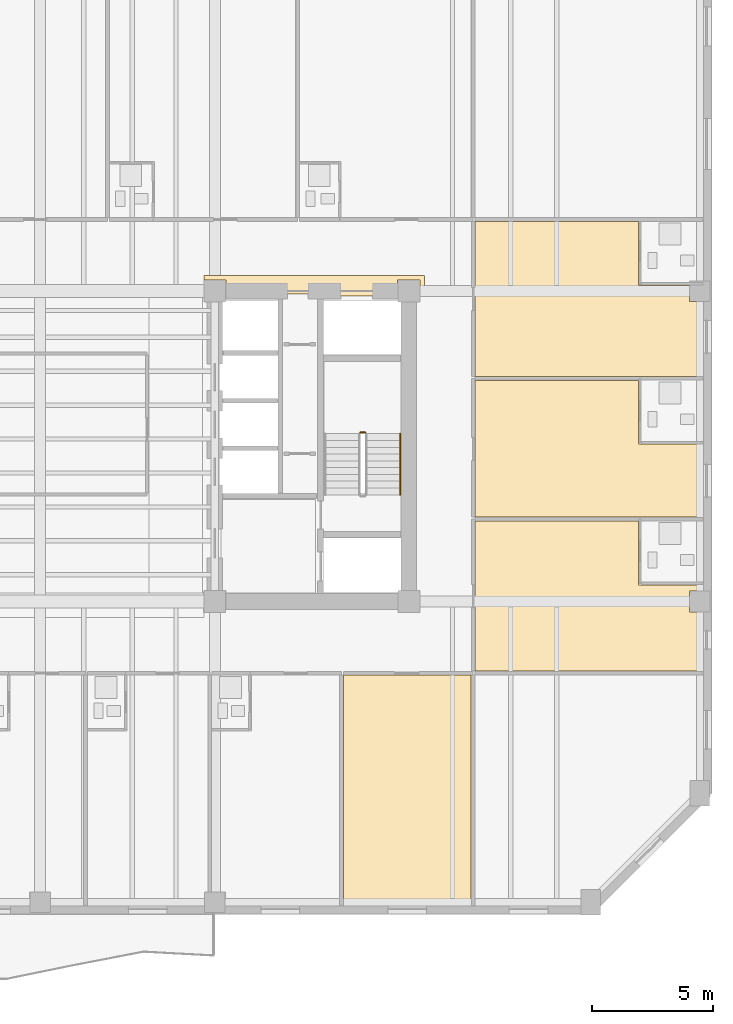
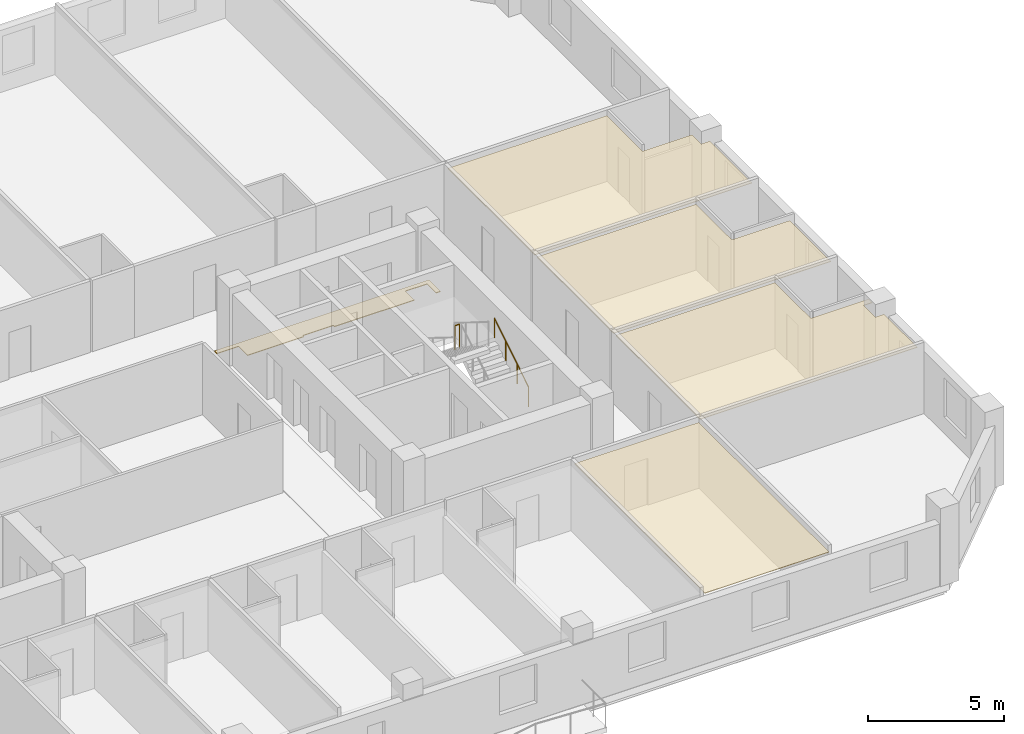
# One storey, part 9 of 11: 5 coverings, 2 railings.
"""IFC4 building model written with IfcOpenShell, lengths in metres."""

from ifc_helpers import new_model, si_unit, direction, frame, origin, origin_2d, place, context, subcontext, project, spatial, polyline, circle, outline, extrude, material, layer, layer_set, type_object, element, save


model = new_model("IFC4")

# Units and contexts
model_context = context("Model", 3, precision=1e-05, world=origin(), true_north=direction((0.0, 1.0)))
body_context = subcontext(model_context, "Body", "Model", "MODEL_VIEW")
ifc_project = project(units=[si_unit("LENGTHUNIT", "METRE"), si_unit("AREAUNIT", "SQUARE_METRE"), si_unit("VOLUMEUNIT", "CUBIC_METRE"), si_unit("PLANEANGLEUNIT", "RADIAN"), si_unit("MASSUNIT", "GRAM", prefix="KILO")], contexts=[model_context])

# Site, building, storey
site_placement = place(None, origin())
site = spatial("IfcSite", under=ifc_project, at=site_placement, CompositionType="ELEMENT")
building_placement = place(site_placement, origin())
building = spatial("IfcBuilding", under=site, at=building_placement, Name="Kranthara Brick Stack", CompositionType="ELEMENT")
storey_placement = place(building_placement, frame((0.0, 0.0, 172.800048828125)))
storey = spatial("IfcBuildingStorey", under=building, at=storey_placement, Name="L44", CompositionType="ELEMENT", Elevation=172.800048828125)

# Coverings
ifc_material_1 = material(Name="Perforated mineral-fibre acoustic ceiling tile", Category="other")
ifc_layer_1 = layer(ifc_material_1, 0.02490234375)
ifc_layer_set_1 = layer_set([ifc_layer_1], Name="Perforated mineral-fibre acoustic ceiling tile")
covering_type_1 = type_object("IfcCoveringType", Name="COV-CEIL-ACOUSTIC", PredefinedType="CEILING", material=ifc_layer_set_1)
covering_1_placement = place(storey_placement, frame((0.0, 0.0, 2.929931640625)))
element("IfcCovering", 1, at=covering_1_placement, inside=storey, type_object=covering_type_1, Name="L44 L44 Guest Sky Lounge 6 Acoustic Ceiling", PredefinedType="CEILING", context=body_context, shape_type="SweptSolid", body=[
    extrude(outline(polyline([(45.77001953125, 8.199951171875), (45.77001953125, 17.77001953125), (40.5029296875, 17.77001953125), (40.5029296875, 8.199951171875), (45.77001953125, 8.199951171875)])), origin(), (0.0, 0.0, 1.0), 0.02490234375),
])
covering_2_placement = place(storey_placement, frame((0.0, 0.0, 2.929931640625)))
element("IfcCovering", 2, at=covering_2_placement, inside=storey, type_object=covering_type_1, Name="L44 Room L44-11 Hotel Guest Room Acoustic Ceiling", PredefinedType="CEILING", context=body_context, shape_type="SweptSolid", body=[
    extrude(outline(polyline([(55.1298828125, 17.929931640625), (45.919921875, 17.929931640625), (45.919921875, 24.1201171875), (52.669921875, 24.1201171875), (52.669921875, 21.489990234375), (55.1298828125, 21.489990234375), (55.1298828125, 21.235107421875), (54.764892578125, 21.235107421875), (54.764892578125, 20.364990234375), (55.1298828125, 20.364990234375), (55.1298828125, 17.929931640625)])), origin(), (0.0, 0.0, 1.0), 0.02490234375),
])
covering_3_placement = place(storey_placement, frame((0.0, 0.0, 2.929931640625)))
element("IfcCovering", 3, at=covering_3_placement, inside=storey, type_object=covering_type_1, Name="L44 Room L44-12 Hotel Guest Room Acoustic Ceiling", PredefinedType="CEILING", context=body_context, shape_type="SweptSolid", body=[
    extrude(outline(polyline([(45.919921875, 24.280029296875), (55.1298828125, 24.280029296875), (55.1298828125, 27.2900390625), (52.669921875, 27.2900390625), (52.669921875, 29.919921875), (45.919921875, 29.919921875), (45.919921875, 24.280029296875)])), origin(), (0.0, 0.0, 1.0), 0.02490234375),
])
covering_4_placement = place(storey_placement, frame((0.0, 0.0, 2.929931640625)))
element("IfcCovering", 4, at=covering_4_placement, inside=storey, type_object=covering_type_1, Name="L44 Room L44-13 Hotel Guest Room Acoustic Ceiling", PredefinedType="CEILING", context=body_context, shape_type="SweptSolid", body=[
    extrude(outline(polyline([(55.1298828125, 30.080078125), (45.919921875, 30.080078125), (45.919921875, 36.469970703125), (52.669921875, 36.469970703125), (52.669921875, 33.840087890625), (54.764892578125, 33.840087890625), (54.764892578125, 33.1650390625), (55.1298828125, 33.1650390625), (55.1298828125, 30.080078125)])), origin(), (0.0, 0.0, 1.0), 0.02490234375),
])
ifc_material_2 = material(Name="Honed terrazzo and porcelain floor finish", Category="stone")
ifc_layer_2 = layer(ifc_material_2, 0.030029296875)
ifc_layer_set_2 = layer_set([ifc_layer_2], Name="Honed terrazzo and porcelain floor finish")
covering_type_2 = type_object("IfcCoveringType", Name="COV-FLOR-STONE", PredefinedType="FLOORING", material=ifc_layer_set_2)
covering_5_placement = place(storey_placement, origin())
element("IfcCovering", 5, at=covering_5_placement, inside=storey, type_object=covering_type_2, Name="L44 Lift Lobby Stone Flooring", PredefinedType="FLOORING", context=body_context, shape_type="SweptSolid", body=[
    extrude(outline(polyline([(43.659912109375, 33.39990234375), (43.659912109375, 34.06005859375), (42.739990234375, 34.06005859375), (42.739990234375, 33.39990234375), (39.35009765625, 33.39990234375), (39.35009765625, 33.47998046875), (38.050048828125, 33.47998046875), (38.050048828125, 33.39990234375), (35.659912109375, 33.39990234375), (35.659912109375, 34.06005859375), (34.75, 34.06005859375), (34.75, 34.25), (43.85009765625, 34.25), (43.85009765625, 33.39990234375), (43.659912109375, 33.39990234375)])), origin(), (0.0, 0.0, 1.0), 0.030029296875),
])

# Railings
ifc_material_3 = material(Name="Painted galvanized steel stair guardrail", Category="steel")
railing_type_1 = type_object("IfcRailingType", Name="RL-STAIR-GUARD-1100", PredefinedType="GUARDRAIL", material=ifc_material_3)
railing_1_placement = place(storey_placement, frame((41.39990234375, 27.77001953125, 1.75)))
element("IfcRailing", 6, at=railing_1_placement, inside=storey, type_object=railing_type_1, Name="L44 ST02 stair guard 2", PredefinedType="GUARDRAIL", context=body_context, shape_type="SweptSolid", body=[
    extrude(circle(Radius=0.02392578125, at=origin_2d()), frame((0.0, 0.0, 1.076171875), z_axis=(-1.0, 0.0, 0.0), x_axis=(0.0, -1.0, 0.0)), (0.0, 0.0, 1.0), 0.199951171875),
    extrude(circle(Radius=0.02099609375, at=origin_2d()), origin(), (0.0, 0.0, 1.0), 1.052001953125),
    extrude(circle(Radius=0.02099609375, at=origin_2d()), frame((-0.199951171875, 0.0, 0.0)), (0.0, 0.0, 1.0), 1.052001953125),
])
ifc_material_4 = material(Name="Brushed stainless steel tubular handrail", Category="steel")
railing_type_2 = type_object("IfcRailingType", Name="RL-STAIR-HAND-900", PredefinedType="HANDRAIL", material=ifc_material_4)
railing_2_placement = place(storey_placement, frame((42.85009765625, 25.199951171875, 0.175048828125)))
element("IfcRailing", 7, at=railing_2_placement, inside=storey, type_object=railing_type_2, Name="L44 ST02 stair handrail 1", PredefinedType="HANDRAIL", context=body_context, shape_type="SweptSolid", body=[
    extrude(circle(Radius=0.02392578125, at=origin_2d()), frame((0.0, 0.0, 0.8759765625), z_axis=(0.0, 0.848007534815, 0.529984170421), x_axis=(-1.0, 0.0, 0.0)), (0.0, 0.0, 1.0), 2.9716796875),
    extrude(circle(Radius=0.02099609375, at=origin_2d()), origin(), (0.0, 0.0, 1.0), 0.851806640625),
    extrude(circle(Radius=0.02099609375, at=origin_2d()), frame((0.0, 0.840087890625, 0.52490234375)), (0.0, 0.0, 1.0), 0.851806640625),
    extrude(circle(Radius=0.02099609375, at=origin_2d()), frame((0.0, 1.679931640625, 1.050048828125)), (0.0, 0.0, 1.0), 0.851806640625),
    extrude(circle(Radius=0.02099609375, at=origin_2d()), frame((0.0, 2.52001953125, 1.574951171875)), (0.0, 0.0, 1.0), 0.851806640625),
])

save(model, "model.ifc")
